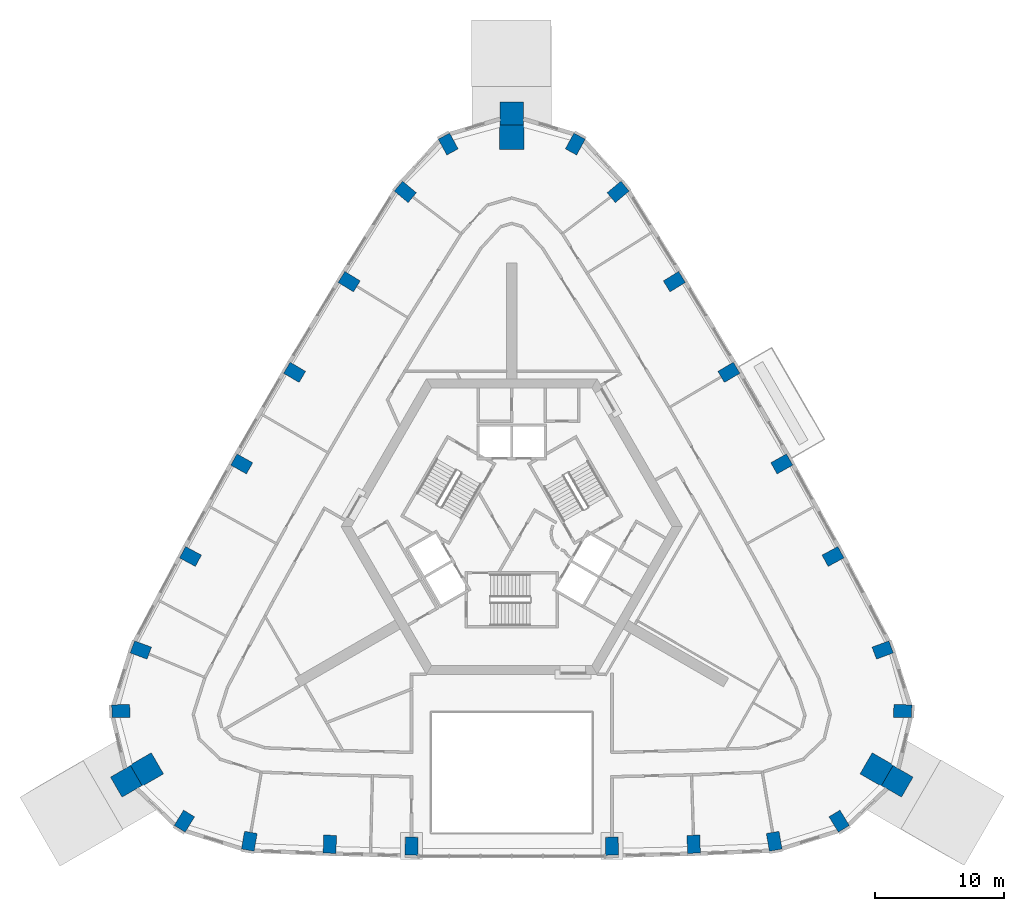
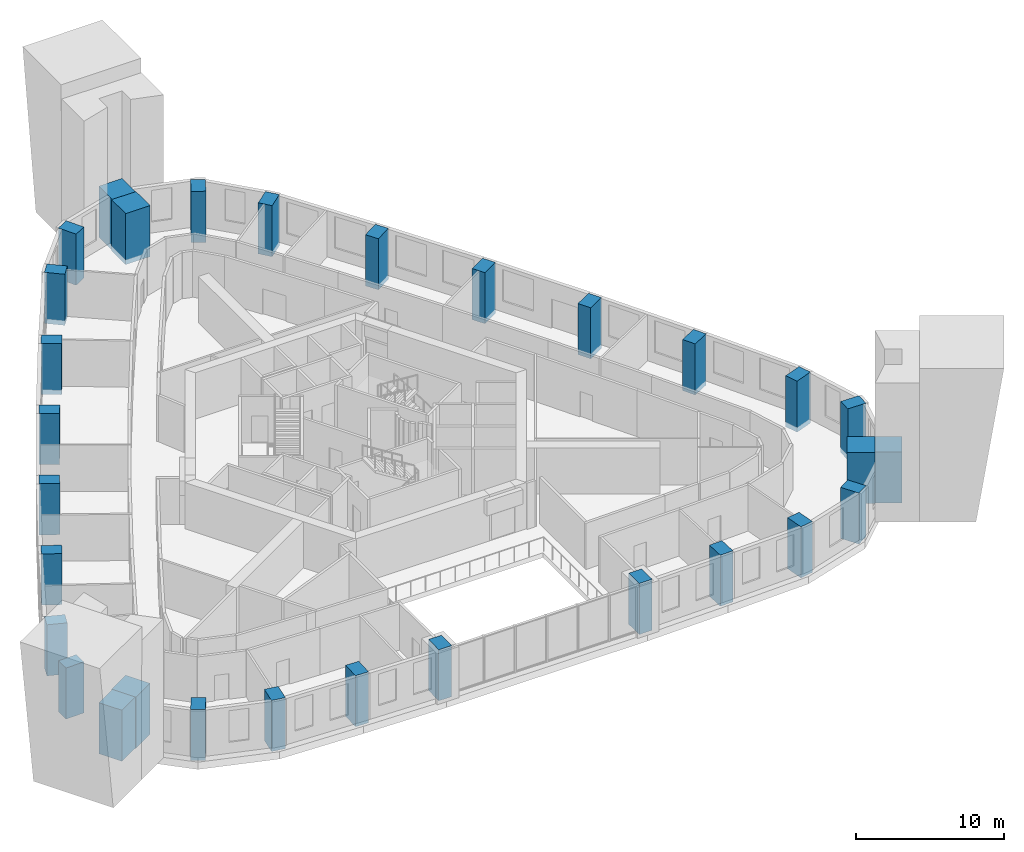
# One storey, part 1 of 13: 30 columns.
"""IFC4 building model written with IfcOpenShell, lengths in metres."""

from ifc_helpers import new_model, si_unit, direction, frame, origin, origin_2d, place, context, subcontext, project, spatial, rectangle, extrude, material, material_profile, profile_set, type_object, element, save


model = new_model("IFC4")

# Units and contexts
model_context = context("Model", 3, precision=1e-05, world=origin(), true_north=direction((0.0, 1.0)))
body_context = subcontext(model_context, "Body", "Model", "MODEL_VIEW")
ifc_project = project(units=[si_unit("LENGTHUNIT", "METRE"), si_unit("AREAUNIT", "SQUARE_METRE"), si_unit("VOLUMEUNIT", "CUBIC_METRE"), si_unit("PLANEANGLEUNIT", "RADIAN"), si_unit("MASSUNIT", "GRAM", prefix="KILO")], contexts=[model_context])

# Site, building, storey
site_placement = place(None, origin())
site = spatial("IfcSite", under=ifc_project, at=site_placement, CompositionType="ELEMENT")
building_placement = place(site_placement, origin())
building = spatial("IfcBuilding", under=site, at=building_placement, Name="Entoto Arch Interchange Tower", CompositionType="ELEMENT")
storey_placement = place(building_placement, frame((0.0, 0.0, 215.0)))
storey = spatial("IfcBuildingStorey", under=building, at=storey_placement, Name="L48", CompositionType="ELEMENT", Elevation=215.0)

# Columns
ifc_material_1 = material(Name="Concrete C50/60", Category="concrete")
ifc_material_profile_1 = material_profile(ifc_material_1, rectangle(XDim=1.0, YDim=1.39990234375, at=origin_2d()))
ifc_profile_set_1 = profile_set([ifc_material_profile_1], Name="Concrete C50/60")
column_type_1 = type_object("IfcColumnType", Name="Column RC 1000x1400 C50/60", PredefinedType="COLUMN", material=ifc_profile_set_1)
for number, where, z_axis, x_axis, name in (
    (1, (-20.4169921875, -21.97509765625, -0.39990234375), (0.0, 0.0, 1.0), (-0.985541276773, 0.169435509195, 0.0), "Column S01 L48"),
    (2, (-14.154052734375, -22.2080078125, -0.39990234375), (0.0, 0.0, 1.0), (-0.999420902032, 0.034027350502, 0.0), "Column S02 L48"),
    (3, (-7.7880859375, -22.361083984375, -0.39990234375), (0.0, 0.0, 1.0), (-0.999913181484, 0.013176854508, 0.0), "Column S03 L48"),
    (4, (7.7880859375, -22.361083984375, -0.39990234375), (0.0, 0.0, 1.0), (0.999913181484, 0.013176854508, 0.0), "Column S04 L48"),
    (5, (14.154052734375, -22.2080078125, -0.39990234375), (0.0, 0.0, 1.0), (0.999420902032, 0.034027350502, 0.0), "Column S05 L48"),
    (6, (20.4169921875, -21.97509765625, -0.39990234375), (0.0, 0.0, 1.0), (0.985541276773, 0.169435509195, 0.0), "Column S06 L48"),
    (7, (25.468994140625, -20.412109375, -0.39990234375), (0.0, 0.0, 1.0), (0.853423465127, 0.521218178089, 0.0), "Column SE1 L48"),
    (8, (30.412109375, -11.85107421875, -0.39990234375), (0.0, 0.0, 1.0), (0.024676450576, 0.99969549003, 0.0), "Column SE3 L48"),
    (9, (28.85595703125, -7.10009765625, -0.39990234375), (0.0, 0.0, 1.0), (-0.34706660219, 0.937840484114, 0.0), "Column NE01 L48"),
    (10, (24.992919921875, 0.175048828125, -0.39990234375), (0.0, 0.0, 1.0), (-0.474134310084, 0.880452529102, 0.0), "Column NE02 L48"),
    (11, (21.007080078125, 7.376953125, -0.39990234375), (0.0, 0.0, 1.0), (-0.491435856222, 0.870913772551, 0.0), "Column NE03 L48"),
    (12, (16.89208984375, 14.50390625, -0.39990234375), (0.0, 0.0, 1.0), (-0.508515523424, 0.861052822095, 0.0), "Column NE04 L48"),
    (13, (12.64794921875, 21.556884765625, -0.39990234375), (0.0, 0.0, 1.0), (-0.525427101986, 0.850838621889, 0.0), "Column NE05 L48"),
    (14, (8.278076171875, 28.5400390625, -0.39990234375), (0.0, 0.0, 1.0), (-0.638660382845, 0.769488736359, 0.0), "Column NE06 L48"),
    (15, (4.94189453125, 32.262939453125, -0.39990234375), (0.0, 0.0, 1.0), (-0.878099915703, 0.478477311941, 0.0), "Column N1 L48"),
    (16, (-4.94189453125, 32.262939453125, -0.39990234375), (0.0, 0.0, 1.0), (0.878099915703, 0.478477311941, 0.0), "Column N3 L48"),
    (17, (-8.278076171875, 28.5400390625, -0.39990234375), (0.0, 0.0, 1.0), (0.638660382845, 0.769488736359, 0.0), "Column NW01 L48"),
    (18, (-12.64794921875, 21.556884765625, -0.39990234375), (0.0, 0.0, 1.0), (0.525427101986, 0.850838621889, 0.0), "Column NW02 L48"),
    (19, (-16.89208984375, 14.50390625, -0.39990234375), (0.0, 0.0, 1.0), (0.508515523424, 0.861052822095, 0.0), "Column NW03 L48"),
    (20, (-21.007080078125, 7.376953125, -0.39990234375), (0.0, 0.0, 1.0), (0.491435856222, 0.870913772551, 0.0), "Column NW04 L48"),
    (21, (-24.992919921875, 0.175048828125, -0.39990234375), (0.0, 0.0, 1.0), (0.474134310084, 0.880452529102, 0.0), "Column NW05 L48"),
    (22, (-28.85595703125, -7.10009765625, -0.39990234375), (0.0, 0.0, 1.0), (0.34706660219, 0.937840484114, 0.0), "Column NW06 L48"),
    (23, (-30.412109375, -11.85107421875, -0.39990234375), (0.0, 0.0, 1.0), (-0.024676450576, 0.99969549003, 0.0), "Column SW1 L48"),
    (24, (-25.468994140625, -20.412109375, -0.39990234375), (0.0, 0.0, 1.0), (-0.853423465127, 0.521218178089, 0.0), "Column SW3 L48"),
):
    element("IfcColumn", number, at=place(storey_placement, frame(where, z_axis=z_axis, x_axis=x_axis)), inside=storey, type_object=column_type_1, Name=name, PredefinedType="COLUMN", context=body_context, shape_type="SweptSolid", body=[
        extrude(rectangle(XDim=1.0, YDim=1.39990234375, at=origin_2d()), origin(), (0.0, 0.0, 1.0), 4.199951171875),
    ])
ifc_material_2 = material(Name="Precast concrete C40/50", Category="concrete")
ifc_material_profile_2 = material_profile(ifc_material_2, rectangle(XDim=1.800048828125, YDim=1.800048828125, at=origin_2d()))
ifc_profile_set_2 = profile_set([ifc_material_profile_2], Name="Precast concrete C40/50")
column_type_2 = type_object("IfcColumnType", Name="Frame post RC 1800x1800 precast C40/50", PredefinedType="COLUMN", material=ifc_profile_set_2)
for number, where, z_axis, x_axis, name in (
    (25, (29.991943359375, -17.31591796875, -0.39990234375), (0.0, 0.0, 1.0), (-0.866025403784, 0.5, 0.0), "Frame post SE L48"),
    (26, (0.0, 34.632080078125, -0.39990234375), (0.0, 0.0, 1.0), (0.0, 1.0, 0.0), "Frame post N L48"),
    (27, (-29.991943359375, -17.31591796875, -0.39990234375), (0.0, 0.0, 1.0), (0.866025403784, 0.5, 0.0), "Frame post SW L48"),
):
    element("IfcColumn", number, at=place(storey_placement, frame(where, z_axis=z_axis, x_axis=x_axis)), inside=storey, type_object=column_type_2, Name=name, PredefinedType="COLUMN", context=body_context, shape_type="SweptSolid", body=[
        extrude(rectangle(XDim=1.800048828125, YDim=1.800048828125, at=origin_2d()), origin(), (0.0, 0.0, 1.0), 4.199951171875),
    ])
ifc_material_profile_3 = material_profile(ifc_material_1, rectangle(XDim=1.89990234375, YDim=1.89990234375, at=origin_2d()))
ifc_profile_set_3 = profile_set([ifc_material_profile_3], Name="Concrete C50/60")
column_type_3 = type_object("IfcColumnType", Name="Mega column RC 1900x1900 C50/60", PredefinedType="COLUMN", material=ifc_profile_set_3)
for number, where, z_axis, x_axis, name in (
    (28, (28.389892578125, -16.39111328125, -0.39990234375), (0.0, 0.0, 1.0), (-0.866025403784, 0.5, 0.0), "Corner mega column SE2 L48"),
    (29, (0.0, 32.781982421875, -0.39990234375), (0.0, 0.0, 1.0), (0.0, 1.0, 0.0), "Corner mega column N2 L48"),
    (30, (-28.389892578125, -16.39111328125, -0.39990234375), (0.0, 0.0, 1.0), (0.866025403784, 0.5, 0.0), "Corner mega column SW2 L48"),
):
    element("IfcColumn", number, at=place(storey_placement, frame(where, z_axis=z_axis, x_axis=x_axis)), inside=storey, type_object=column_type_3, Name=name, PredefinedType="COLUMN", context=body_context, shape_type="SweptSolid", body=[
        extrude(rectangle(XDim=1.89990234375, YDim=1.89990234375, at=origin_2d()), origin(), (0.0, 0.0, 1.0), 4.199951171875),
    ])

save(model, "model.ifc")
